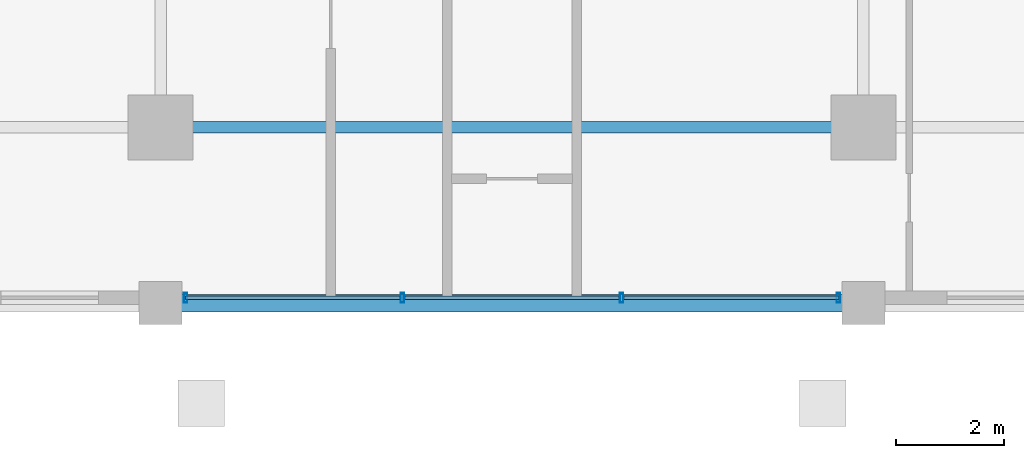
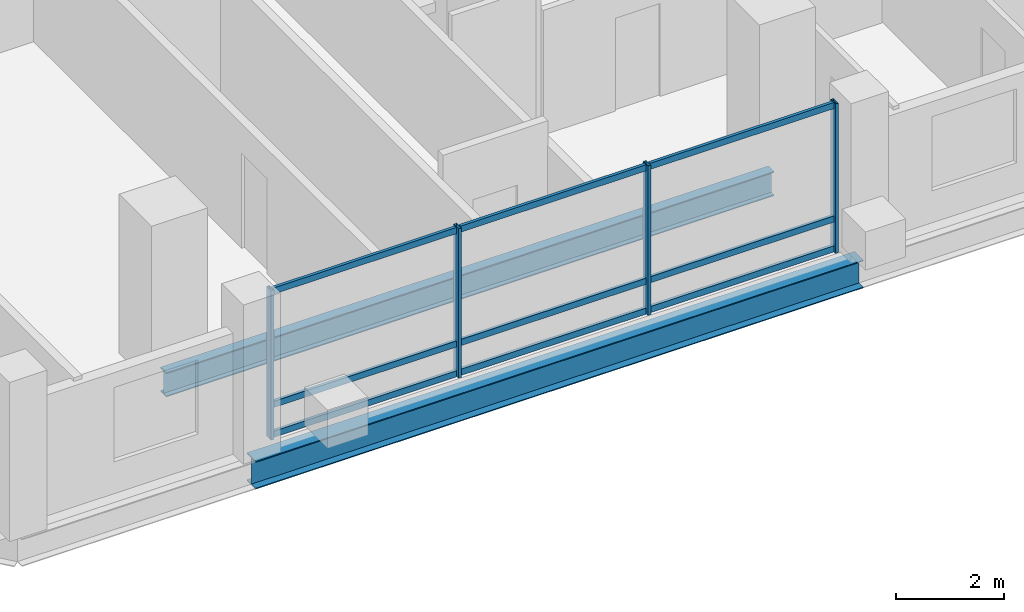
# One storey, part 2 of 20: 13 members, 2 beams, 1 element without a shape of its own.
"""IFC4 building model written with IfcOpenShell, lengths in metres."""

from ifc_helpers import new_model, si_unit, direction, frame, origin, origin_2d, place, context, subcontext, project, spatial, hollow_rectangle, i_section, extrude, material, layer, layer_set, material_profile, profile_set, type_object, element, aggregate, save


model = new_model("IFC4")

# Units and contexts
model_context = context("Model", 3, precision=1e-05, world=origin(), true_north=direction((0.0, 1.0)))
body_context = subcontext(model_context, "Body", "Model", "MODEL_VIEW")
ifc_project = project(units=[si_unit("LENGTHUNIT", "METRE"), si_unit("AREAUNIT", "SQUARE_METRE"), si_unit("VOLUMEUNIT", "CUBIC_METRE"), si_unit("PLANEANGLEUNIT", "RADIAN"), si_unit("MASSUNIT", "GRAM", prefix="KILO")], contexts=[model_context])

# Site, building, storey
site_placement = place(None, origin())
site = spatial("IfcSite", under=ifc_project, at=site_placement, CompositionType="ELEMENT")
building_placement = place(site_placement, origin())
building = spatial("IfcBuilding", under=site, at=building_placement, Name="Barlavira Tower and Art Museum", CompositionType="ELEMENT")
storey_placement = place(building_placement, frame((0.0, 0.0, 147.60009765625)))
storey = spatial("IfcBuildingStorey", under=building, at=storey_placement, Name="L37", CompositionType="ELEMENT", Elevation=147.60009765625)

# Curtain wall, members
ifc_material_1 = material(Name="Low-iron coastal laminated glass", Category="glass")
ifc_layer = layer(ifc_material_1, 0.18994140625, Name="Low-iron coastal laminated glass")
ifc_layer_set = layer_set([ifc_layer], Name="Low-iron coastal laminated glass")
curtain_wall_type = type_object("IfcCurtainWallType", Name="Pale-Metal Unitised Curtain Wall Zone 2", PredefinedType="NOTDEFINED", material=ifc_layer_set)
curtain_wall_placement = place(storey_placement, origin())
curtain_wall = element("IfcCurtainWall", 1, at=curtain_wall_placement, inside=storey, type_object=curtain_wall_type, Name="L37 Curtain Wall CW2-L37-S-B3", PredefinedType="NOTDEFINED")
ifc_material_2 = material(Name="Pale anodised aluminium", Category="aluminium")
ifc_material_profile_1 = material_profile(ifc_material_2, hollow_rectangle(XDim=0.06494140625, YDim=0.179931640625, WallThickness=0.00390625, at=origin_2d()), Name="ALU-MULL 65x180x4")
ifc_profile_set_1 = profile_set([ifc_material_profile_1], Name="Pale anodised aluminium")
member_type_1 = type_object("IfcMemberType", Name="Curtain Wall Pale-Metal Mullion 65x180", PredefinedType="MULLION", material=ifc_profile_set_1)
member_1_placement = place(storey_placement, frame((-6.034912109375, -23.14990234375, 0.0), z_axis=(0.0, 0.0, 1.0), x_axis=(1.0, 0.0, 0.0)))
member_1 = element("IfcMember", 2, at=member_1_placement, type_object=member_type_1, Name="CW2-L37-S-B3 Mullion 0", PredefinedType="MULLION", context=body_context, shape_type="SweptSolid", body=[
    extrude(hollow_rectangle(XDim=0.06494140625, YDim=0.179931640625, WallThickness=0.00390625, at=origin_2d()), origin(), (0.0, 0.0, 1.0), 3.3798828125),
])
member_2_placement = place(storey_placement, frame((-2.026611328125, -23.14990234375, 0.0), z_axis=(0.0, 0.0, 1.0), x_axis=(1.0, 0.0, 0.0)))
member_2 = element("IfcMember", 3, at=member_2_placement, type_object=member_type_1, Name="CW2-L37-S-B3 Mullion 1", PredefinedType="MULLION", context=body_context, shape_type="SweptSolid", body=[
    extrude(hollow_rectangle(XDim=0.06494140625, YDim=0.179931640625, WallThickness=0.00390625, at=origin_2d()), origin(), (0.0, 0.0, 1.0), 3.3798828125),
])
member_3_placement = place(storey_placement, frame((2.026611328125, -23.14990234375, 0.0), z_axis=(0.0, 0.0, 1.0), x_axis=(1.0, 0.0, 0.0)))
member_3 = element("IfcMember", 4, at=member_3_placement, type_object=member_type_1, Name="CW2-L37-S-B3 Mullion 2", PredefinedType="MULLION", context=body_context, shape_type="SweptSolid", body=[
    extrude(hollow_rectangle(XDim=0.06494140625, YDim=0.179931640625, WallThickness=0.00390625, at=origin_2d()), origin(), (0.0, 0.0, 1.0), 3.3798828125),
])
member_4_placement = place(storey_placement, frame((6.034912109375, -23.14990234375, 0.0), z_axis=(0.0, 0.0, 1.0), x_axis=(1.0, 0.0, 0.0)))
member_4 = element("IfcMember", 5, at=member_4_placement, type_object=member_type_1, Name="CW2-L37-S-B3 Mullion 3", PredefinedType="MULLION", context=body_context, shape_type="SweptSolid", body=[
    extrude(hollow_rectangle(XDim=0.06494140625, YDim=0.179931640625, WallThickness=0.00390625, at=origin_2d()), origin(), (0.0, 0.0, 1.0), 3.3798828125),
])
ifc_material_profile_2 = material_profile(ifc_material_2, hollow_rectangle(XDim=0.06494140625, YDim=0.139892578125, WallThickness=0.00390625, at=origin_2d()), Name="ALU-TRAN 65x140x4")
ifc_profile_set_2 = profile_set([ifc_material_profile_2], Name="Pale anodised aluminium")
member_type_2 = type_object("IfcMemberType", Name="Curtain Wall Pale-Metal Transom 65x140", PredefinedType="USERDEFINED", material=ifc_profile_set_2)
member_5_placement = place(storey_placement, frame((-6.034912109375, -23.14990234375, 0.06982421875), z_axis=(1.0, 0.0, 0.0), x_axis=(0.0, 1.0, 0.0)))
member_5 = element("IfcMember", 6, at=member_5_placement, type_object=member_type_2, Name="CW2-L37-S-B3 Transom 0.1", ObjectType="TRANSOM", PredefinedType="USERDEFINED", context=body_context, shape_type="SweptSolid", body=[
    extrude(hollow_rectangle(XDim=0.06494140625, YDim=0.139892578125, WallThickness=0.00390625, at=origin_2d()), origin(), (0.0, 0.0, 1.0), 3.963134765625),
])
member_6_placement = place(storey_placement, frame((-6.034912109375, -23.14990234375, 0.743896484375), z_axis=(1.0, 0.0, 0.0), x_axis=(0.0, 1.0, 0.0)))
member_6 = element("IfcMember", 7, at=member_6_placement, type_object=member_type_2, Name="CW2-L37-S-B3 Transom 0.2", ObjectType="TRANSOM", PredefinedType="USERDEFINED", context=body_context, shape_type="SweptSolid", body=[
    extrude(hollow_rectangle(XDim=0.06494140625, YDim=0.139892578125, WallThickness=0.00390625, at=origin_2d()), origin(), (0.0, 0.0, 1.0), 3.963134765625),
])
member_7_placement = place(storey_placement, frame((-6.034912109375, -23.14990234375, 3.309814453125), z_axis=(1.0, 0.0, 0.0), x_axis=(0.0, 1.0, 0.0)))
member_7 = element("IfcMember", 8, at=member_7_placement, type_object=member_type_2, Name="CW2-L37-S-B3 Transom 0.3", ObjectType="TRANSOM", PredefinedType="USERDEFINED", context=body_context, shape_type="SweptSolid", body=[
    extrude(hollow_rectangle(XDim=0.06494140625, YDim=0.139892578125, WallThickness=0.00390625, at=origin_2d()), origin(), (0.0, 0.0, 1.0), 3.963134765625),
])
member_8_placement = place(storey_placement, frame((-1.981689453125, -23.14990234375, 0.06982421875), z_axis=(1.0, 0.0, 0.0), x_axis=(0.0, 1.0, 0.0)))
member_8 = element("IfcMember", 9, at=member_8_placement, type_object=member_type_2, Name="CW2-L37-S-B3 Transom 1.1", ObjectType="TRANSOM", PredefinedType="USERDEFINED", context=body_context, shape_type="SweptSolid", body=[
    extrude(hollow_rectangle(XDim=0.06494140625, YDim=0.139892578125, WallThickness=0.00390625, at=origin_2d()), origin(), (0.0, 0.0, 1.0), 3.96337890625),
])
member_9_placement = place(storey_placement, frame((-1.981689453125, -23.14990234375, 0.743896484375), z_axis=(1.0, 0.0, 0.0), x_axis=(0.0, 1.0, 0.0)))
member_9 = element("IfcMember", 10, at=member_9_placement, type_object=member_type_2, Name="CW2-L37-S-B3 Transom 1.2", ObjectType="TRANSOM", PredefinedType="USERDEFINED", context=body_context, shape_type="SweptSolid", body=[
    extrude(hollow_rectangle(XDim=0.06494140625, YDim=0.139892578125, WallThickness=0.00390625, at=origin_2d()), origin(), (0.0, 0.0, 1.0), 3.96337890625),
])
member_10_placement = place(storey_placement, frame((-1.981689453125, -23.14990234375, 3.309814453125), z_axis=(1.0, 0.0, 0.0), x_axis=(0.0, 1.0, 0.0)))
member_10 = element("IfcMember", 11, at=member_10_placement, type_object=member_type_2, Name="CW2-L37-S-B3 Transom 1.3", ObjectType="TRANSOM", PredefinedType="USERDEFINED", context=body_context, shape_type="SweptSolid", body=[
    extrude(hollow_rectangle(XDim=0.06494140625, YDim=0.139892578125, WallThickness=0.00390625, at=origin_2d()), origin(), (0.0, 0.0, 1.0), 3.96337890625),
])
member_11_placement = place(storey_placement, frame((2.07177734375, -23.14990234375, 0.06982421875), z_axis=(1.0, 0.0, 0.0), x_axis=(0.0, 1.0, 0.0)))
member_11 = element("IfcMember", 12, at=member_11_placement, type_object=member_type_2, Name="CW2-L37-S-B3 Transom 2.1", ObjectType="TRANSOM", PredefinedType="USERDEFINED", context=body_context, shape_type="SweptSolid", body=[
    extrude(hollow_rectangle(XDim=0.06494140625, YDim=0.139892578125, WallThickness=0.00390625, at=origin_2d()), origin(), (0.0, 0.0, 1.0), 3.963134765625),
])
member_12_placement = place(storey_placement, frame((2.07177734375, -23.14990234375, 0.743896484375), z_axis=(1.0, 0.0, 0.0), x_axis=(0.0, 1.0, 0.0)))
member_12 = element("IfcMember", 13, at=member_12_placement, type_object=member_type_2, Name="CW2-L37-S-B3 Transom 2.2", ObjectType="TRANSOM", PredefinedType="USERDEFINED", context=body_context, shape_type="SweptSolid", body=[
    extrude(hollow_rectangle(XDim=0.06494140625, YDim=0.139892578125, WallThickness=0.00390625, at=origin_2d()), origin(), (0.0, 0.0, 1.0), 3.963134765625),
])
member_13_placement = place(storey_placement, frame((2.07177734375, -23.14990234375, 3.309814453125), z_axis=(1.0, 0.0, 0.0), x_axis=(0.0, 1.0, 0.0)))
member_13 = element("IfcMember", 14, at=member_13_placement, type_object=member_type_2, Name="CW2-L37-S-B3 Transom 2.3", ObjectType="TRANSOM", PredefinedType="USERDEFINED", context=body_context, shape_type="SweptSolid", body=[
    extrude(hollow_rectangle(XDim=0.06494140625, YDim=0.139892578125, WallThickness=0.00390625, at=origin_2d()), origin(), (0.0, 0.0, 1.0), 3.963134765625),
])
aggregate(curtain_wall, [member_1, member_2, member_3, member_4, member_5, member_6, member_7, member_8, member_9, member_10, member_11, member_12, member_13])

# Beams
ifc_material_3 = material(Name="Steel S355", Category="steel")
ifc_material_profile_3 = material_profile(ifc_material_3, i_section(OverallWidth=0.327880859375, OverallDepth=0.62890625, WebThickness=0.013916015625, FlangeThickness=0.021484375, at=origin_2d()), Name="W610x174.0")
ifc_profile_set_3 = profile_set([ifc_material_profile_3], Name="Steel S355")
beam_type_1 = type_object("IfcBeamType", Name="Perimeter Spandrel Edge Beam W610x174 Steel S355", PredefinedType="SPANDREL", material=ifc_profile_set_3)
beam_1_placement = place(storey_placement, frame((-6.5, -23.25, -0.53466796875), z_axis=(1.0, 0.0, 0.0), x_axis=(0.0, 1.0, 0.0)))
element("IfcBeam", 15, at=beam_1_placement, inside=storey, type_object=beam_type_1, Name="L37 Spandrel 2", PredefinedType="SPANDREL", context=body_context, shape_type="SweptSolid", body=[
    extrude(i_section(OverallWidth=0.327880859375, OverallDepth=0.62890625, WebThickness=0.013916015625, FlangeThickness=0.021484375, at=origin_2d()), origin(), (0.0, 0.0, 1.0), 13.0),
])
ifc_material_profile_4 = material_profile(ifc_material_3, i_section(OverallWidth=0.214111328125, OverallDepth=0.549072265625, WebThickness=0.0146484375, FlangeThickness=0.023681640625, at=origin_2d()), Name="W530x138.0")
ifc_profile_set_4 = profile_set([ifc_material_profile_4], Name="Steel S355")
beam_type_2 = type_object("IfcBeamType", Name="Zone 1 Primary Floor Girder W530x138 Steel S355", PredefinedType="BEAM", material=ifc_profile_set_4)
beam_2_placement = place(storey_placement, frame((-6.5, -20.0, -0.49462890625), z_axis=(1.0, 0.0, 0.0), x_axis=(0.0, 1.0, 0.0)))
element("IfcBeam", 16, at=beam_2_placement, inside=storey, type_object=beam_type_2, Name="L37 Girder M-S2", PredefinedType="BEAM", context=body_context, shape_type="SweptSolid", body=[
    extrude(i_section(OverallWidth=0.214111328125, OverallDepth=0.549072265625, WebThickness=0.0146484375, FlangeThickness=0.023681640625, at=origin_2d()), origin(), (0.0, 0.0, 1.0), 13.0),
])

save(model, "model.ifc")
